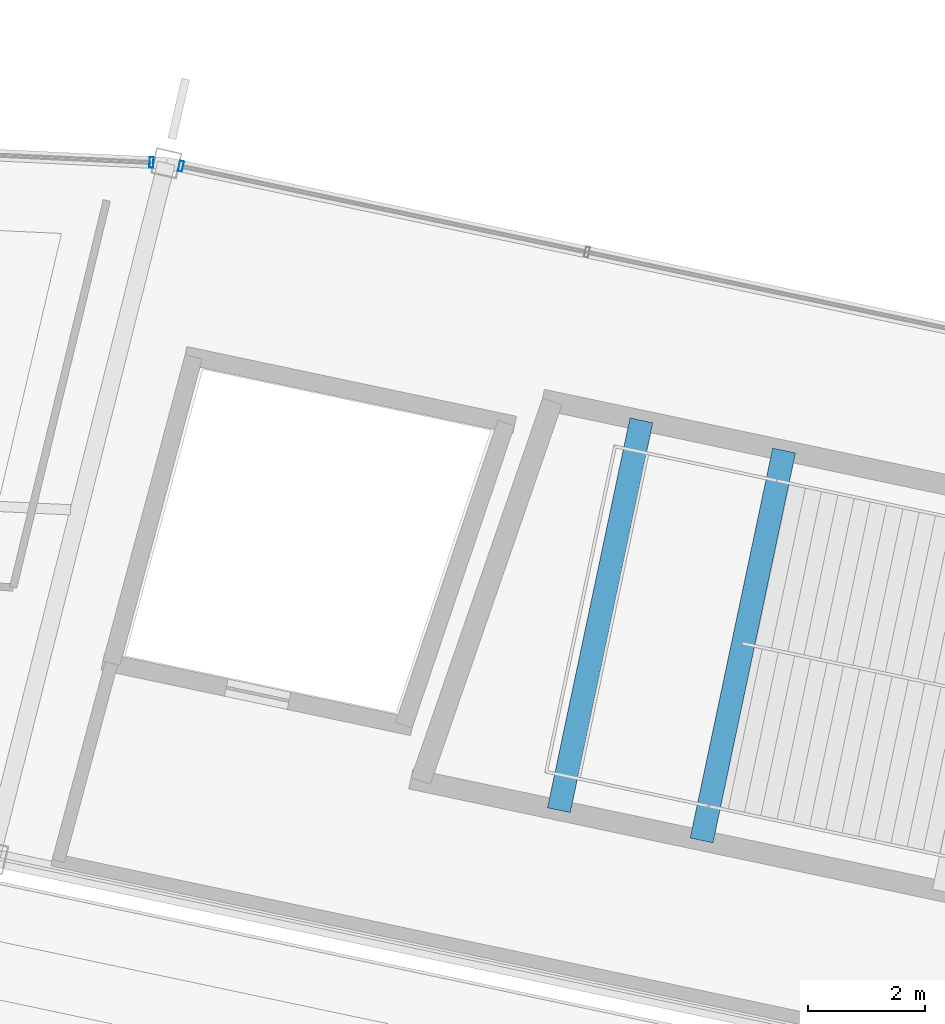
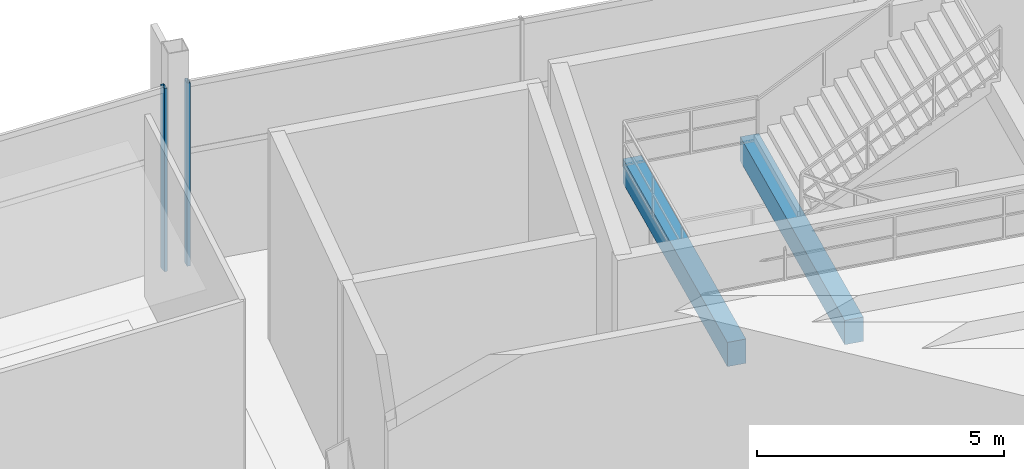
# One storey, part 105 of 186: 2 beams, 2 members, 2 elements without a shape of their own.
"""IFC4 building model written with IfcOpenShell, lengths in metres."""

import ifcopenshell
import ifcopenshell.guid

model = None  # the IFC model being written
_history = None  # IfcOwnerHistory: only IFC2X3 demands one
_inside = {}  # id of a spatial element -> (the spatial element, [elements in it])
_under = {}  # id of a project, library or spatial element -> (it, [spatial elements below it])
_declared = {}  # id of a project -> (the project, [libraries it declares])
_typed = {}  # id of a type object -> (the type object, [elements of that type])
_made_of = {}  # id of a material, layer set ... -> (it, [elements and type objects made of it])


def new_model(schema):
    """Start an empty IFC model of exactly this schema.

    Asked for "IFC4X3", IfcOpenShell would pick the latest addendum, in which some entities
    have other attributes; the version numbers below select the first issue.
    IFC2X3 requires an IfcOwnerHistory on every rooted entity: one is made here for all.
    """
    global model, _history
    if schema == "IFC4X3":
        model = ifcopenshell.file(schema_version=(4, 3, 0, 0))
    else:
        model = ifcopenshell.file(schema=schema)
    _inside.clear()
    _under.clear()
    _declared.clear()
    _typed.clear()
    _made_of.clear()
    _history = None
    if model.schema == "IFC2X3":
        org = make("IfcOrganization", Name="unknown")
        user = make(
            "IfcPersonAndOrganization",
            ThePerson=make("IfcPerson", FamilyName="unknown"),
            TheOrganization=org,
        )
        app = make(
            "IfcApplication",
            ApplicationDeveloper=org,
            Version="unknown",
            ApplicationFullName="unknown",
            ApplicationIdentifier="unknown",
        )
        _history = make(
            "IfcOwnerHistory",
            OwningUser=user,
            OwningApplication=app,
            ChangeAction="ADDED",
            CreationDate=0,
        )
    return model


def make(cls, **values):
    """One entity of the class cls with the attributes given. An attribute that is None is left unset."""
    return model.create_entity(
        cls, **{name: value for name, value in values.items() if value is not None}
    )


def rooted(cls, **values):
    """An entity with a GlobalId (a new one), such as an element, a storey or a relation."""
    return make(cls, GlobalId=ifcopenshell.guid.new(), OwnerHistory=_history, **values)


def si_unit(unit_type, name, prefix=None):
    """IfcSIUnit, for example si_unit("LENGTHUNIT", "METRE", prefix="MILLI")."""
    return make("IfcSIUnit", UnitType=unit_type, Prefix=prefix, Name=name)


def assignment(units):
    """IfcUnitAssignment: the units of a project."""
    return None if units is None else make("IfcUnitAssignment", Units=units)


def point(xyz):
    """IfcCartesianPoint."""
    return None if xyz is None else make("IfcCartesianPoint", Coordinates=xyz)


def direction(xyz):
    """IfcDirection."""
    return None if xyz is None else make("IfcDirection", DirectionRatios=xyz)


def frame(location, z_axis=None, x_axis=None):
    """IfcAxis2Placement3D, a coordinate frame: its origin and axes. An axis left out is left unset."""
    return make(
        "IfcAxis2Placement3D",
        Location=point(location),
        Axis=direction(z_axis),
        RefDirection=direction(x_axis),
    )


def frame_2d(location, x_axis=None):
    """IfcAxis2Placement2D, a coordinate frame in the plane: its origin and x axis."""
    return make(
        "IfcAxis2Placement2D", Location=point(location), RefDirection=direction(x_axis)
    )


def origin():
    """The frame at (0, 0, 0) with its axes left unset."""
    return frame((0.0, 0.0, 0.0))


def origin_2d():
    """The frame at (0, 0) in the plane with its x axis left unset."""
    return frame_2d((0.0, 0.0))


def place(relative_to, where):
    """IfcLocalPlacement: puts the frame where relative to a parent placement (None: the world)."""
    return make(
        "IfcLocalPlacement", PlacementRelTo=relative_to, RelativePlacement=where
    )


def context(
    kind, dimensions, precision=None, world=None, true_north=None, identifier=None
):
    """IfcGeometricRepresentationContext, for example the 3D "Model" context."""
    return make(
        "IfcGeometricRepresentationContext",
        ContextIdentifier=identifier,
        ContextType=kind,
        CoordinateSpaceDimension=dimensions,
        Precision=precision,
        WorldCoordinateSystem=world,
        TrueNorth=true_north,
    )


def subcontext(parent, identifier, kind, view, scale=None):
    """IfcGeometricRepresentationSubContext, for example "Body" below "Model"."""
    return make(
        "IfcGeometricRepresentationSubContext",
        ContextIdentifier=identifier,
        ContextType=kind,
        ParentContext=parent,
        TargetScale=scale,
        TargetView=view,
    )


def project(units=None, contexts=None):
    """IfcProject with its units and contexts."""
    return rooted(
        "IfcProject",
        Name="project",
        RepresentationContexts=contexts,
        UnitsInContext=assignment(units),
    )


def spatial(cls, under=None, at=None, **own):
    """A site, building, storey or space (cls), placed at a placement, below another one or the project."""
    s = rooted(cls, ObjectPlacement=at, **own)
    if under is not None:
        _under.setdefault(under.id(), (under, []))[1].append(s)
    return s


def profile(cls, at=None, kind="AREA", **sizes):
    """A parametric profile (cls). Its sizes go by their IFC names, for example OverallWidth=200.0."""
    return make(cls, ProfileType=kind, Position=at, **sizes)


def rectangle(**sizes):
    """IfcRectangleProfileDef."""
    return profile("IfcRectangleProfileDef", **sizes)


def hollow_rectangle(**sizes):
    """IfcRectangleHollowProfileDef."""
    return profile("IfcRectangleHollowProfileDef", **sizes)


def extrude(swept, where, along, depth):
    """IfcExtrudedAreaSolid: the profile swept, set in the frame where, extruded along a direction by depth."""
    return make(
        "IfcExtrudedAreaSolid",
        SweptArea=swept,
        Position=where,
        ExtrudedDirection=direction(along),
        Depth=depth,
    )


def shape(context_of_items, identifier, shape_type, items):
    """IfcShapeRepresentation: the items that make up one representation, for example the "Body"."""
    return make(
        "IfcShapeRepresentation",
        ContextOfItems=context_of_items,
        RepresentationIdentifier=identifier,
        RepresentationType=shape_type,
        Items=items,
    )


def material(Name=None, Category=None):
    """IfcMaterial."""
    return make("IfcMaterial", Name=Name, Category=Category)


def layer(
    of_material, thickness, ventilated=None, Name=None, Category=None, Priority=None
):
    """IfcMaterialLayer: one layer of a wall or slab, of a material (None: an air gap)."""
    return make(
        "IfcMaterialLayer",
        Material=of_material,
        LayerThickness=thickness,
        IsVentilated=ventilated,
        Name=Name,
        Category=Category,
        Priority=Priority,
    )


def layer_set(layers, Name=None):
    """IfcMaterialLayerSet."""
    return make("IfcMaterialLayerSet", MaterialLayers=layers, LayerSetName=Name)


def material_profile(
    of_material, cross_section, Name=None, Category=None, Priority=None
):
    """IfcMaterialProfile: a cross section and its material."""
    return make(
        "IfcMaterialProfile",
        Name=Name,
        Material=of_material,
        Profile=cross_section,
        Priority=Priority,
        Category=Category,
    )


def profile_set(profiles, Name=None, composite=None):
    """IfcMaterialProfileSet."""
    return make(
        "IfcMaterialProfileSet",
        Name=Name,
        MaterialProfiles=profiles,
        CompositeProfile=composite,
    )


def made_of(thing, what):
    """Note that an element or type object is made of a material, layer set ...; save() writes the relation."""
    if what is not None:
        _made_of.setdefault(what.id(), (what, []))[1].append(thing)
    return thing


def type_object(cls, material=None, **own):
    """A type object (cls), such as IfcWallType, which elements share."""
    return made_of(rooted(cls, **own), material)


def element(
    cls,
    number,
    at=None,
    inside=None,
    cuts=None,
    type_object=None,
    material=None,
    context=None,
    identifier="Body",
    shape_type=None,
    held_by="IfcProductDefinitionShape",
    body=None,
    shapes=None,
    **own,
):
    """One element of the class cls, such as IfcWall. Its Tag is "e" and its number.

    at: its placement. inside: the storey or other place that contains it. cuts: it is an
    opening in that element (IfcRelVoidsElement). A single representation is given by context,
    identifier, shape_type and body (its items); several are given by shapes. held_by: the class
    of the entity that holds the representations. save() writes the other relations.
    """
    e = rooted(cls, Tag="e%d" % number, ObjectPlacement=at, **own)
    if body is not None:
        shapes = [shape(context, identifier, shape_type, body)]
    if shapes is not None:
        e.Representation = make(held_by, Representations=shapes)
    if inside is not None:
        _inside.setdefault(inside.id(), (inside, []))[1].append(e)
    if cuts is not None:
        rooted(
            "IfcRelVoidsElement", RelatingBuildingElement=cuts, RelatedOpeningElement=e
        )
    if type_object is not None:
        _typed.setdefault(type_object.id(), (type_object, []))[1].append(e)
    return made_of(e, material)


def aggregate(whole, parts):
    """IfcRelAggregates: a whole, such as a stair, and the parts it consists of."""
    return rooted("IfcRelAggregates", RelatingObject=whole, RelatedObjects=parts)


def save(model, path):
    """Write the relations noted so far, then the file.

    IfcRelAggregates (storeys below a building ...), IfcRelContainedInSpatialStructure (elements
    in a storey), IfcRelDefinesByType, IfcRelAssociatesMaterial and IfcRelDeclares: one each for
    every whole, place, type object, material and project.
    """
    for whole, parts in _under.values():
        aggregate(whole, parts)
    for where, things in _inside.values():
        rooted(
            "IfcRelContainedInSpatialStructure",
            RelatedElements=things,
            RelatingStructure=where,
        )
    for kind, things in _typed.values():
        rooted("IfcRelDefinesByType", RelatedObjects=things, RelatingType=kind)
    for what, things in _made_of.values():
        rooted("IfcRelAssociatesMaterial", RelatedObjects=things, RelatingMaterial=what)
    for by, libraries in _declared.values():
        rooted("IfcRelDeclares", RelatingContext=by, RelatedDefinitions=libraries)
    model.write(path)


model = new_model("IFC4")

# Units and contexts
model_context = context("Model", 3, precision=1e-05, world=origin(), true_north=direction((0.0, 1.0)))
body_context = subcontext(model_context, "Body", "Model", "MODEL_VIEW")
ifc_project = project(units=[si_unit("LENGTHUNIT", "METRE"), si_unit("AREAUNIT", "SQUARE_METRE"), si_unit("VOLUMEUNIT", "CUBIC_METRE"), si_unit("PLANEANGLEUNIT", "RADIAN"), si_unit("MASSUNIT", "GRAM", prefix="KILO")], contexts=[model_context])

# Site, building, storey
site_placement = place(None, origin())
site = spatial("IfcSite", under=ifc_project, at=site_placement, CompositionType="ELEMENT")
building_placement = place(site_placement, origin())
building = spatial("IfcBuilding", under=site, at=building_placement, Name="Kazemori Nagisa Stadium", CompositionType="ELEMENT")
storey_placement = place(building_placement, frame((0.0, 0.0, 20.39990234375)))
storey = spatial("IfcBuildingStorey", under=building, at=storey_placement, Name="L04", CompositionType="ELEMENT", Elevation=20.39990234375)

# Beams
ifc_material_1 = material(Name="Concrete C40/50 (Fc42)", Category="concrete")
ifc_material_profile_1 = material_profile(ifc_material_1, rectangle(XDim=0.39990234375, YDim=0.60009765625, at=origin_2d()), Name="RC-BM-400x600")
ifc_profile_set_1 = profile_set([ifc_material_profile_1], Name="Concrete C40/50 (Fc42)")
beam_type = type_object("IfcBeamType", Name="Beam_BG-LND400X600", PredefinedType="BEAM", material=ifc_profile_set_1)
beam_1_placement = place(storey_placement, frame((153.6015625, 175.377685546875, 2.22021484375), z_axis=(0.20695595975, 0.978350259735, 0.0), x_axis=(-0.978350259735, 0.20695595975, 0.0)))
element("IfcBeam", 1, at=beam_1_placement, inside=storey, type_object=beam_type, Name="Core stair mid-landing girder ST11-L04-1", PredefinedType="BEAM", context=body_context, shape_type="SweptSolid", body=[
    extrude(rectangle(XDim=0.39990234375, YDim=0.60009765625, at=origin_2d()), origin(), (0.0, 0.0, 1.0), 6.83154296875),
])
beam_2_placement = place(storey_placement, frame((151.155517578125, 175.895263671875, 2.22021484375), z_axis=(0.206997403527, 0.978341491982, 0.0), x_axis=(-0.978341491982, 0.206997403527, 0.0)))
element("IfcBeam", 2, at=beam_2_placement, inside=storey, type_object=beam_type, Name="Core stair mid-landing girder ST11-L04-2", PredefinedType="BEAM", context=body_context, shape_type="SweptSolid", body=[
    extrude(rectangle(XDim=0.39990234375, YDim=0.60009765625, at=origin_2d()), origin(), (0.0, 0.0, 1.0), 6.831298828125),
])

# Curtain wall, member
ifc_material_2 = material(Name="Anodised aluminium 6063-T5", Category="aluminium")
ifc_layer_1 = layer(ifc_material_2, 0.179931640625, Name="Anodised aluminium 6063-T5", Category="aluminium")
ifc_layer_set_1 = layer_set([ifc_layer_1], Name="Anodised aluminium 6063-T5")
curtain_wall_type_1 = type_object("IfcCurtainWallType", Name="CW_L04R3_107", PredefinedType="USERDEFINED", material=ifc_layer_set_1)
curtain_wall_1_placement = place(storey_placement, origin())
curtain_wall_1 = element("IfcCurtainWall", 3, at=curtain_wall_1_placement, inside=storey, type_object=curtain_wall_type_1, Name="Unitised curtain wall CW-L04R3-107 L04", ObjectType="UNITISED CURTAIN WALL", PredefinedType="USERDEFINED")
ifc_material_3 = material(Name="Aluminium 6063-T5 anodised", Category="aluminium")
ifc_material_profile_2 = material_profile(ifc_material_3, hollow_rectangle(XDim=0.070068359375, YDim=0.179931640625, WallThickness=0.00390625, at=origin_2d()), Name="ALU-MULL-70x180x4")
ifc_profile_set_2 = profile_set([ifc_material_profile_2], Name="Aluminium 6063-T5 anodised")
member_type = type_object("IfcMemberType", Name="Mullion_M01", PredefinedType="MULLION", material=ifc_profile_set_2)
member_1_placement = place(storey_placement, frame((144.67724609375, 186.93408203125, 0.0), z_axis=(0.0, 0.0, 1.0), x_axis=(-0.978344955407, 0.206981033502, 0.0)))
member_1 = element("IfcMember", 4, at=member_1_placement, type_object=member_type, Name="Curtain wall mullion CW-L04R3-107-M4", PredefinedType="MULLION", context=body_context, shape_type="SweptSolid", body=[
    extrude(hollow_rectangle(XDim=0.070068359375, YDim=0.179931640625, WallThickness=0.00390625, at=origin_2d()), origin(), (0.0, 0.0, 1.0), 4.530029296875),
])
aggregate(curtain_wall_1, [member_1])

ifc_layer_2 = layer(ifc_material_2, 0.179931640625, Name="Anodised aluminium 6063-T5", Category="aluminium")
ifc_layer_set_2 = layer_set([ifc_layer_2], Name="Anodised aluminium 6063-T5")
curtain_wall_type_2 = type_object("IfcCurtainWallType", Name="CW_L04R3_105", PredefinedType="USERDEFINED", material=ifc_layer_set_2)
curtain_wall_2_placement = place(storey_placement, origin())
curtain_wall_2 = element("IfcCurtainWall", 5, at=curtain_wall_2_placement, inside=storey, type_object=curtain_wall_type_2, Name="Unitised curtain wall CW-L04R3-105 L04", ObjectType="UNITISED CURTAIN WALL", PredefinedType="USERDEFINED")
member_2_placement = place(storey_placement, frame((144.1728515625, 186.998779296875, 0.0), z_axis=(0.0, 0.0, 1.0), x_axis=(-0.998884022476, 0.047230388971, 0.0)))
member_2 = element("IfcMember", 6, at=member_2_placement, type_object=member_type, Name="Curtain wall mullion CW-L04R3-105-M1", PredefinedType="MULLION", context=body_context, shape_type="SweptSolid", body=[
    extrude(hollow_rectangle(XDim=0.070068359375, YDim=0.179931640625, WallThickness=0.00390625, at=origin_2d()), origin(), (0.0, 0.0, 1.0), 4.530029296875),
])
aggregate(curtain_wall_2, [member_2])

save(model, "model.ifc")
